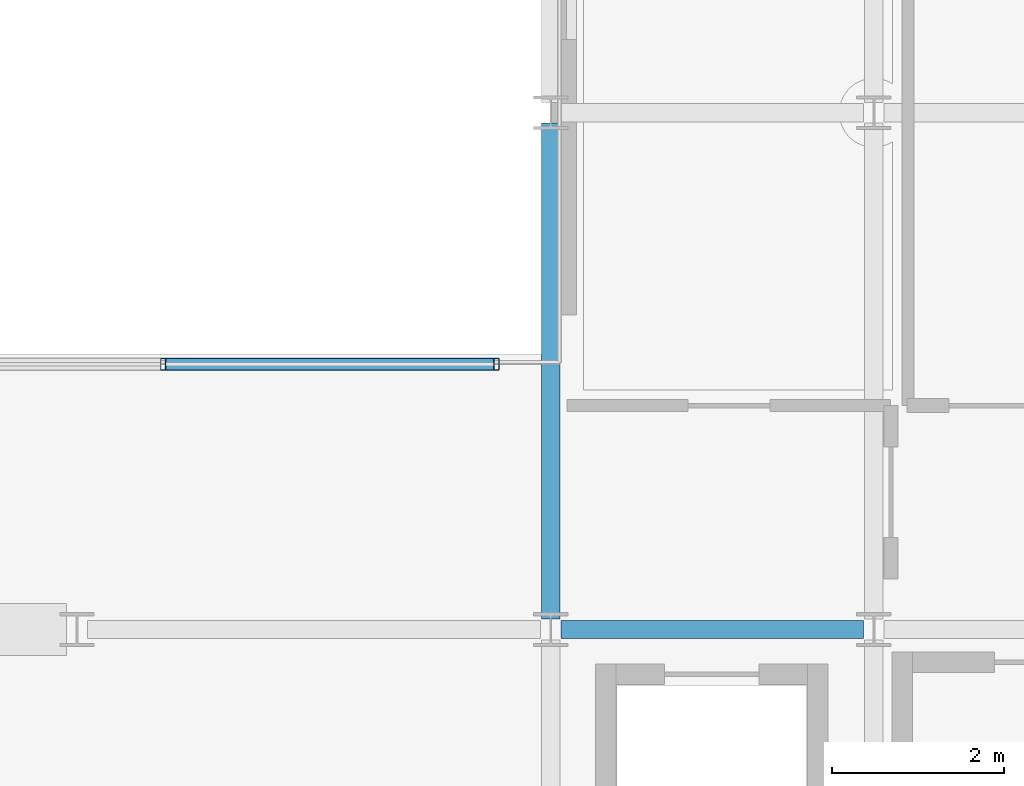
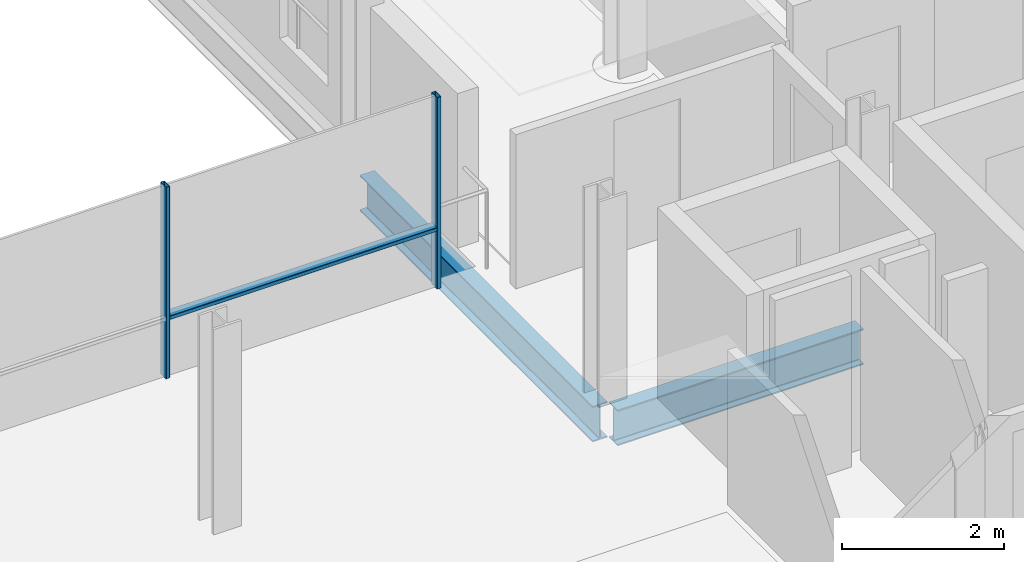
# One storey, part 15 of 38: 3 members, 2 beams, 1 element without a shape of its own.
"""IFC4 building model written with IfcOpenShell, lengths in metres."""

from ifc_helpers import new_model, si_unit, direction, frame, origin, origin_2d, place, context, subcontext, project, spatial, hollow_rectangle, i_section, extrude, material, layer, layer_set, material_profile, profile_set, type_object, element, aggregate, save


model = new_model("IFC4")

# Units and contexts
model_context = context("Model", 3, precision=1e-05, world=origin(), true_north=direction((0.0, 1.0)))
body_context = subcontext(model_context, "Body", "Model", "MODEL_VIEW")
ifc_project = project(units=[si_unit("LENGTHUNIT", "METRE"), si_unit("AREAUNIT", "SQUARE_METRE"), si_unit("VOLUMEUNIT", "CUBIC_METRE"), si_unit("PLANEANGLEUNIT", "RADIAN"), si_unit("MASSUNIT", "GRAM", prefix="KILO")], contexts=[model_context])

# Site, building, storey
site_placement = place(None, origin())
site = spatial("IfcSite", under=ifc_project, at=site_placement, CompositionType="ELEMENT")
building_placement = place(site_placement, origin())
building = spatial("IfcBuilding", under=site, at=building_placement, Name="Brevholm Reach", CompositionType="ELEMENT")
storey_placement = place(building_placement, frame((0.0, 0.0, 186.300048828125)))
storey = spatial("IfcBuildingStorey", under=building, at=storey_placement, Name="L56", CompositionType="ELEMENT", Elevation=186.300048828125)

# Beams
ifc_material_1 = material(Name="Structural Steel S355J2", Category="steel")
ifc_material_profile_1 = material_profile(ifc_material_1, i_section(OverallWidth=0.210693359375, OverallDepth=0.53955078125, WebThickness=0.01171875, FlangeThickness=0.018798828125, FilletRadius=0.0126953125, at=origin_2d()), Name="UKB 533x210x109")
ifc_profile_set_1 = profile_set([ifc_material_profile_1], Name="Structural Steel S355J2")
beam_type = type_object("IfcBeamType", Name="BM-SP539", PredefinedType="SPANDREL", material=ifc_profile_set_1)
beam_1_placement = place(storey_placement, frame((38.3701171875, 10.0, -0.479736328125), z_axis=(1.0, 0.0, 0.0), x_axis=(0.0, 1.0, 0.0)))
element("IfcBeam", 1, at=beam_1_placement, inside=storey, type_object=beam_type, Name="L56 SP-01B Framing Beam", PredefinedType="SPANDREL", context=body_context, shape_type="SweptSolid", body=[
    extrude(i_section(OverallWidth=0.210693359375, OverallDepth=0.53955078125, WebThickness=0.01171875, FlangeThickness=0.018798828125, FilletRadius=0.0126953125, at=origin_2d()), origin(), (0.0, 0.0, 1.0), 3.509765625),
])
beam_2_placement = place(storey_placement, frame((38.25, 10.1201171875, -0.479736328125), z_axis=(0.0, 1.0, 0.0), x_axis=(-1.0, 0.0, 0.0)))
element("IfcBeam", 2, at=beam_2_placement, inside=storey, type_object=beam_type, Name="L56 SP-01B Framing Beam", PredefinedType="SPANDREL", context=body_context, shape_type="SweptSolid", body=[
    extrude(i_section(OverallWidth=0.210693359375, OverallDepth=0.53955078125, WebThickness=0.01171875, FlangeThickness=0.018798828125, FilletRadius=0.0126953125, at=origin_2d()), origin(), (0.0, 0.0, 1.0), 5.759765625),
])

# Curtain wall, members
ifc_material_2 = material(Name="Dark Anodised Aluminium 6063-T6 and Solar-Control Glass", Category="aluminium")
ifc_layer = layer(ifc_material_2, 0.139892578125)
ifc_layer_set = layer_set([ifc_layer], Name="Dark Anodised Aluminium 6063-T6 and Solar-Control Glass")
curtain_wall_type = type_object("IfcCurtainWallType", Name="CW-02", PredefinedType="NOTDEFINED", material=ifc_layer_set)
curtain_wall_placement = place(storey_placement, origin())
curtain_wall = element("IfcCurtainWall", 3, at=curtain_wall_placement, inside=storey, type_object=curtain_wall_type, Name="L56 Curtain Wall CW-02", PredefinedType="NOTDEFINED")
ifc_material_3 = material(Name="Dark Anodised Aluminium 6063-T6", Category="aluminium")
ifc_material_profile_2 = material_profile(ifc_material_3, hollow_rectangle(XDim=0.06005859375, YDim=0.139892578125, WallThickness=0.0048828125, InnerFilletRadius=0.0048828125, OuterFilletRadius=0.010009765625, at=origin_2d()), Name="RHS 140x60x5")
ifc_profile_set_2 = profile_set([ifc_material_profile_2], Name="Dark Anodised Aluminium 6063-T6")
member_type_1 = type_object("IfcMemberType", Name="CWM-140", PredefinedType="MULLION", material=ifc_profile_set_2)
member_1_placement = place(storey_placement, frame((33.75, 13.080078125, 0.0), z_axis=(0.0, 0.0, 1.0), x_axis=(1.0, 0.0, 0.0)))
member_1 = element("IfcMember", 4, at=member_1_placement, type_object=member_type_1, Name="CM-140 Mullion 4", PredefinedType="MULLION", context=body_context, shape_type="SweptSolid", body=[
    extrude(hollow_rectangle(XDim=0.06005859375, YDim=0.139892578125, WallThickness=0.0048828125, InnerFilletRadius=0.0048828125, OuterFilletRadius=0.010009765625, at=origin_2d()), origin(), (0.0, 0.0, 1.0), 2.889892578125),
])
member_2_placement = place(storey_placement, frame((37.6201171875, 13.080078125, 0.0), z_axis=(0.0, 0.0, 1.0), x_axis=(1.0, 0.0, 0.0)))
member_2 = element("IfcMember", 5, at=member_2_placement, type_object=member_type_1, Name="CM-140 Mullion 5", PredefinedType="MULLION", context=body_context, shape_type="SweptSolid", body=[
    extrude(hollow_rectangle(XDim=0.06005859375, YDim=0.139892578125, WallThickness=0.0048828125, InnerFilletRadius=0.0048828125, OuterFilletRadius=0.010009765625, at=origin_2d()), origin(), (0.0, 0.0, 1.0), 2.889892578125),
])
ifc_material_4 = material(Name="Dark Anodised Aluminium 6063-T6", Category="aluminium")
ifc_material_profile_3 = material_profile(ifc_material_4, hollow_rectangle(XDim=0.06005859375, YDim=0.139892578125, WallThickness=0.0048828125, InnerFilletRadius=0.0048828125, OuterFilletRadius=0.010009765625, at=origin_2d()), Name="RHS 140x60x5")
ifc_profile_set_3 = profile_set([ifc_material_profile_3], Name="Dark Anodised Aluminium 6063-T6")
member_type_2 = type_object("IfcMemberType", Name="CWT-140", PredefinedType="NOTDEFINED", material=ifc_profile_set_3)
member_3_placement = place(storey_placement, frame((33.780029296875, 13.080078125, 0.89990234375), z_axis=(1.0, 0.0, 0.0), x_axis=(0.0, 0.0, 1.0)))
member_3 = element("IfcMember", 6, at=member_3_placement, type_object=member_type_2, Name="CT-140 Transom 4.1", ObjectType="TRANSOM", PredefinedType="USERDEFINED", context=body_context, shape_type="SweptSolid", body=[
    extrude(hollow_rectangle(XDim=0.06005859375, YDim=0.139892578125, WallThickness=0.0048828125, InnerFilletRadius=0.0048828125, OuterFilletRadius=0.010009765625, at=origin_2d()), origin(), (0.0, 0.0, 1.0), 3.81005859375),
])
aggregate(curtain_wall, [member_1, member_2, member_3])

save(model, "model.ifc")
